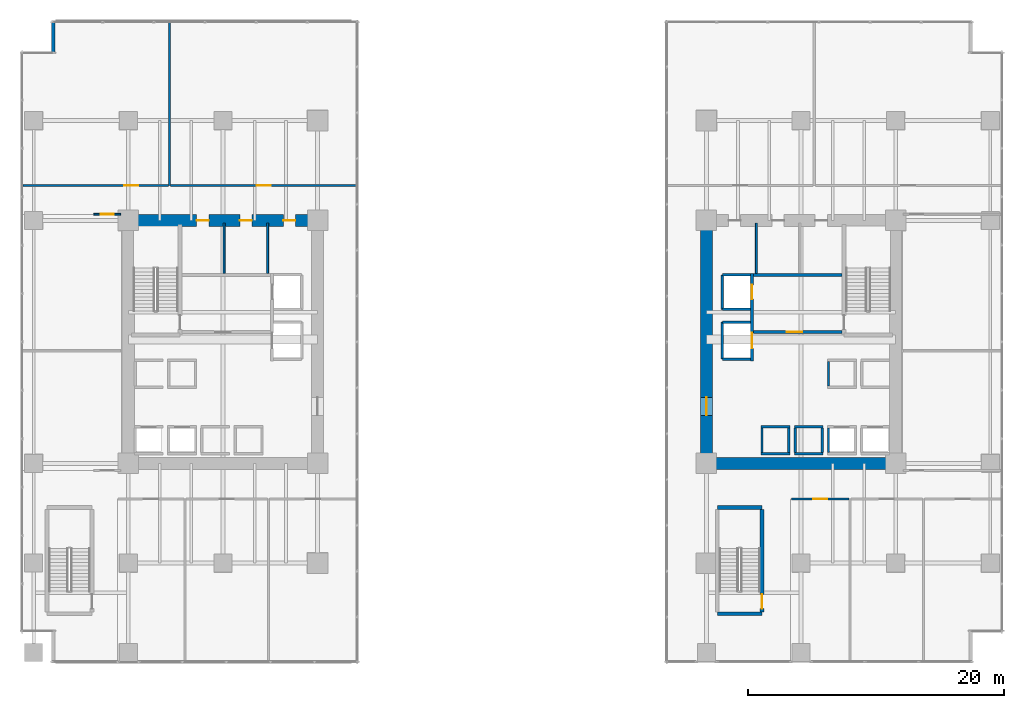
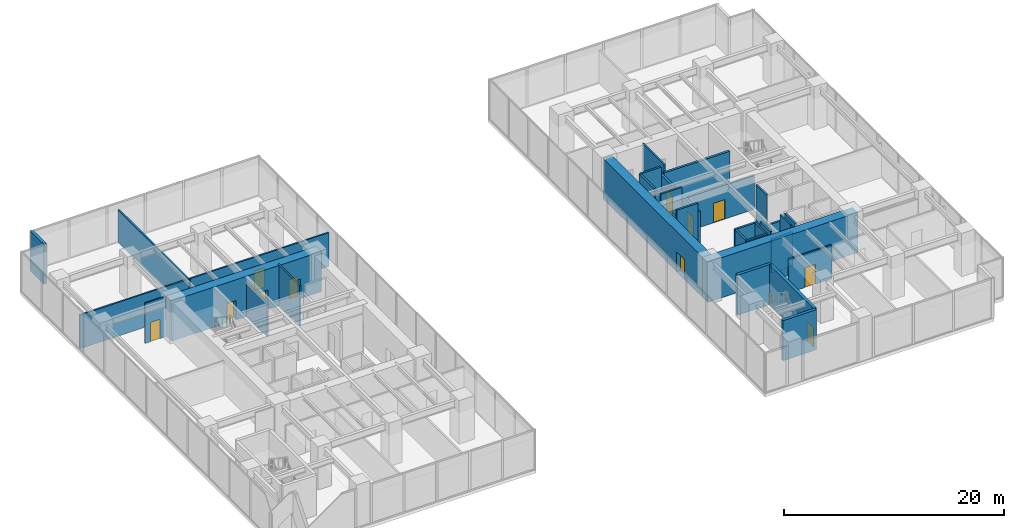
# One storey, part 26 of 33: 34 walls, 12 doors, 12 openings.
"""IFC4 building model written with IfcOpenShell, lengths in metres."""

import ifcopenshell
import ifcopenshell.guid

model = None  # the IFC model being written
_history = None  # IfcOwnerHistory: only IFC2X3 demands one
_inside = {}  # id of a spatial element -> (the spatial element, [elements in it])
_under = {}  # id of a project, library or spatial element -> (it, [spatial elements below it])
_declared = {}  # id of a project -> (the project, [libraries it declares])
_typed = {}  # id of a type object -> (the type object, [elements of that type])
_made_of = {}  # id of a material, layer set ... -> (it, [elements and type objects made of it])


def new_model(schema):
    """Start an empty IFC model of exactly this schema.

    Asked for "IFC4X3", IfcOpenShell would pick the latest addendum, in which some entities
    have other attributes; the version numbers below select the first issue.
    IFC2X3 requires an IfcOwnerHistory on every rooted entity: one is made here for all.
    """
    global model, _history
    if schema == "IFC4X3":
        model = ifcopenshell.file(schema_version=(4, 3, 0, 0))
    else:
        model = ifcopenshell.file(schema=schema)
    _inside.clear()
    _under.clear()
    _declared.clear()
    _typed.clear()
    _made_of.clear()
    _history = None
    if model.schema == "IFC2X3":
        org = make("IfcOrganization", Name="unknown")
        user = make(
            "IfcPersonAndOrganization",
            ThePerson=make("IfcPerson", FamilyName="unknown"),
            TheOrganization=org,
        )
        app = make(
            "IfcApplication",
            ApplicationDeveloper=org,
            Version="unknown",
            ApplicationFullName="unknown",
            ApplicationIdentifier="unknown",
        )
        _history = make(
            "IfcOwnerHistory",
            OwningUser=user,
            OwningApplication=app,
            ChangeAction="ADDED",
            CreationDate=0,
        )
    return model


def make(cls, **values):
    """One entity of the class cls with the attributes given. An attribute that is None is left unset."""
    return model.create_entity(
        cls, **{name: value for name, value in values.items() if value is not None}
    )


def rooted(cls, **values):
    """An entity with a GlobalId (a new one), such as an element, a storey or a relation."""
    return make(cls, GlobalId=ifcopenshell.guid.new(), OwnerHistory=_history, **values)


def si_unit(unit_type, name, prefix=None):
    """IfcSIUnit, for example si_unit("LENGTHUNIT", "METRE", prefix="MILLI")."""
    return make("IfcSIUnit", UnitType=unit_type, Prefix=prefix, Name=name)


def assignment(units):
    """IfcUnitAssignment: the units of a project."""
    return None if units is None else make("IfcUnitAssignment", Units=units)


def point(xyz):
    """IfcCartesianPoint."""
    return None if xyz is None else make("IfcCartesianPoint", Coordinates=xyz)


def direction(xyz):
    """IfcDirection."""
    return None if xyz is None else make("IfcDirection", DirectionRatios=xyz)


def frame(location, z_axis=None, x_axis=None):
    """IfcAxis2Placement3D, a coordinate frame: its origin and axes. An axis left out is left unset."""
    return make(
        "IfcAxis2Placement3D",
        Location=point(location),
        Axis=direction(z_axis),
        RefDirection=direction(x_axis),
    )


def frame_2d(location, x_axis=None):
    """IfcAxis2Placement2D, a coordinate frame in the plane: its origin and x axis."""
    return make(
        "IfcAxis2Placement2D", Location=point(location), RefDirection=direction(x_axis)
    )


def origin():
    """The frame at (0, 0, 0) with its axes left unset."""
    return frame((0.0, 0.0, 0.0))


def place(relative_to, where):
    """IfcLocalPlacement: puts the frame where relative to a parent placement (None: the world)."""
    return make(
        "IfcLocalPlacement", PlacementRelTo=relative_to, RelativePlacement=where
    )


def context(
    kind, dimensions, precision=None, world=None, true_north=None, identifier=None
):
    """IfcGeometricRepresentationContext, for example the 3D "Model" context."""
    return make(
        "IfcGeometricRepresentationContext",
        ContextIdentifier=identifier,
        ContextType=kind,
        CoordinateSpaceDimension=dimensions,
        Precision=precision,
        WorldCoordinateSystem=world,
        TrueNorth=true_north,
    )


def subcontext(parent, identifier, kind, view, scale=None):
    """IfcGeometricRepresentationSubContext, for example "Body" below "Model"."""
    return make(
        "IfcGeometricRepresentationSubContext",
        ContextIdentifier=identifier,
        ContextType=kind,
        ParentContext=parent,
        TargetScale=scale,
        TargetView=view,
    )


def project(units=None, contexts=None):
    """IfcProject with its units and contexts."""
    return rooted(
        "IfcProject",
        Name="project",
        RepresentationContexts=contexts,
        UnitsInContext=assignment(units),
    )


def spatial(cls, under=None, at=None, **own):
    """A site, building, storey or space (cls), placed at a placement, below another one or the project."""
    s = rooted(cls, ObjectPlacement=at, **own)
    if under is not None:
        _under.setdefault(under.id(), (under, []))[1].append(s)
    return s


def profile(cls, at=None, kind="AREA", **sizes):
    """A parametric profile (cls). Its sizes go by their IFC names, for example OverallWidth=200.0."""
    return make(cls, ProfileType=kind, Position=at, **sizes)


def rectangle(**sizes):
    """IfcRectangleProfileDef."""
    return profile("IfcRectangleProfileDef", **sizes)


def extrude(swept, where, along, depth):
    """IfcExtrudedAreaSolid: the profile swept, set in the frame where, extruded along a direction by depth."""
    return make(
        "IfcExtrudedAreaSolid",
        SweptArea=swept,
        Position=where,
        ExtrudedDirection=direction(along),
        Depth=depth,
    )


def shape(context_of_items, identifier, shape_type, items):
    """IfcShapeRepresentation: the items that make up one representation, for example the "Body"."""
    return make(
        "IfcShapeRepresentation",
        ContextOfItems=context_of_items,
        RepresentationIdentifier=identifier,
        RepresentationType=shape_type,
        Items=items,
    )


def source(mapping_origin, context_of_items, identifier, shape_type, items):
    """IfcRepresentationMap: a shape defined once, which mapped items show again and again."""
    return make(
        "IfcRepresentationMap",
        MappingOrigin=mapping_origin,
        MappedRepresentation=shape(context_of_items, identifier, shape_type, items),
    )


def transform(
    local_origin,
    x_axis=None,
    y_axis=None,
    z_axis=None,
    scale=None,
    scale2=None,
    scale3=None,
    uniform=True,
):
    """IfcCartesianTransformationOperator3D, or its non-uniform kind. x_axis, y_axis, z_axis: its Axis1, 2, 3."""
    if uniform:
        return make(
            "IfcCartesianTransformationOperator3D",
            Axis1=direction(x_axis),
            Axis2=direction(y_axis),
            LocalOrigin=point(local_origin),
            Scale=scale,
            Axis3=direction(z_axis),
        )
    return make(
        "IfcCartesianTransformationOperator3DnonUniform",
        Axis1=direction(x_axis),
        Axis2=direction(y_axis),
        LocalOrigin=point(local_origin),
        Scale=scale,
        Axis3=direction(z_axis),
        Scale2=scale2,
        Scale3=scale3,
    )


def mapped(mapping_source, mapping_target):
    """IfcMappedItem: shows the shape of a source again, moved by a transform."""
    return make(
        "IfcMappedItem", MappingSource=mapping_source, MappingTarget=mapping_target
    )


def material(Name=None, Category=None):
    """IfcMaterial."""
    return make("IfcMaterial", Name=Name, Category=Category)


def layer(
    of_material, thickness, ventilated=None, Name=None, Category=None, Priority=None
):
    """IfcMaterialLayer: one layer of a wall or slab, of a material (None: an air gap)."""
    return make(
        "IfcMaterialLayer",
        Material=of_material,
        LayerThickness=thickness,
        IsVentilated=ventilated,
        Name=Name,
        Category=Category,
        Priority=Priority,
    )


def layer_set(layers, Name=None):
    """IfcMaterialLayerSet."""
    return make("IfcMaterialLayerSet", MaterialLayers=layers, LayerSetName=Name)


def made_of(thing, what):
    """Note that an element or type object is made of a material, layer set ...; save() writes the relation."""
    if what is not None:
        _made_of.setdefault(what.id(), (what, []))[1].append(thing)
    return thing


def type_object(cls, material=None, **own):
    """A type object (cls), such as IfcWallType, which elements share."""
    return made_of(rooted(cls, **own), material)


def type_shapes(of_type, sources):
    """Give a type object the sources (RepresentationMaps) that its elements show as mapped items."""
    of_type.RepresentationMaps = sources


def element(
    cls,
    number,
    at=None,
    inside=None,
    cuts=None,
    type_object=None,
    material=None,
    context=None,
    identifier="Body",
    shape_type=None,
    held_by="IfcProductDefinitionShape",
    body=None,
    shapes=None,
    **own,
):
    """One element of the class cls, such as IfcWall. Its Tag is "e" and its number.

    at: its placement. inside: the storey or other place that contains it. cuts: it is an
    opening in that element (IfcRelVoidsElement). A single representation is given by context,
    identifier, shape_type and body (its items); several are given by shapes. held_by: the class
    of the entity that holds the representations. save() writes the other relations.
    """
    e = rooted(cls, Tag="e%d" % number, ObjectPlacement=at, **own)
    if body is not None:
        shapes = [shape(context, identifier, shape_type, body)]
    if shapes is not None:
        e.Representation = make(held_by, Representations=shapes)
    if inside is not None:
        _inside.setdefault(inside.id(), (inside, []))[1].append(e)
    if cuts is not None:
        rooted(
            "IfcRelVoidsElement", RelatingBuildingElement=cuts, RelatedOpeningElement=e
        )
    if type_object is not None:
        _typed.setdefault(type_object.id(), (type_object, []))[1].append(e)
    return made_of(e, material)


def fill(opening, filler):
    """IfcRelFillsElement: the door or window that sits in an opening."""
    return rooted(
        "IfcRelFillsElement",
        RelatingOpeningElement=opening,
        RelatedBuildingElement=filler,
    )


def aggregate(whole, parts):
    """IfcRelAggregates: a whole, such as a stair, and the parts it consists of."""
    return rooted("IfcRelAggregates", RelatingObject=whole, RelatedObjects=parts)


def save(model, path):
    """Write the relations noted so far, then the file.

    IfcRelAggregates (storeys below a building ...), IfcRelContainedInSpatialStructure (elements
    in a storey), IfcRelDefinesByType, IfcRelAssociatesMaterial and IfcRelDeclares: one each for
    every whole, place, type object, material and project.
    """
    for whole, parts in _under.values():
        aggregate(whole, parts)
    for where, things in _inside.values():
        rooted(
            "IfcRelContainedInSpatialStructure",
            RelatedElements=things,
            RelatingStructure=where,
        )
    for kind, things in _typed.values():
        rooted("IfcRelDefinesByType", RelatedObjects=things, RelatingType=kind)
    for what, things in _made_of.values():
        rooted("IfcRelAssociatesMaterial", RelatedObjects=things, RelatingMaterial=what)
    for by, libraries in _declared.values():
        rooted("IfcRelDeclares", RelatingContext=by, RelatedDefinitions=libraries)
    model.write(path)


model = new_model("IFC4")

# Units and contexts
model_context = context("Model", 3, precision=1e-05, world=origin(), true_north=direction((0.0, 1.0)))
body_context = subcontext(model_context, "Body", "Model", "MODEL_VIEW")
ifc_project = project(units=[si_unit("LENGTHUNIT", "METRE"), si_unit("AREAUNIT", "SQUARE_METRE"), si_unit("VOLUMEUNIT", "CUBIC_METRE"), si_unit("PLANEANGLEUNIT", "RADIAN"), si_unit("MASSUNIT", "GRAM", prefix="KILO")], contexts=[model_context])

# Site, building, storey
site_placement = place(None, origin())
site = spatial("IfcSite", under=ifc_project, at=site_placement, CompositionType="ELEMENT")
building_placement = place(site_placement, origin())
building = spatial("IfcBuilding", under=site, at=building_placement, Name="Haelvirn Gate Laboratories", CompositionType="ELEMENT")
storey_placement = place(building_placement, frame((0.0, 0.0, 10.199951171875)))
storey = spatial("IfcBuildingStorey", under=building, at=storey_placement, Name="L03", CompositionType="ELEMENT", Elevation=10.199951171875)

# Wall
ifc_material_1 = material(Name="Thermally-broken bronze aluminium rainscreen & mineral wool", Category="aluminium")
ifc_layer_1 = layer(ifc_material_1, 0.280029296875, Name="EW-TERR-280")
ifc_layer_set_1 = layer_set([ifc_layer_1], Name="Thermally-broken bronze aluminium rainscreen & mineral wool")
wall_type_1 = type_object("IfcWallType", Name="EW-TERR-280", PredefinedType="STANDARD", material=ifc_layer_set_1)
wall_1_placement = place(storey_placement, frame((1.5400390625, 49.39990234375, 0.0), z_axis=(0.0, 0.0, 1.0), x_axis=(0.0, -1.0, 0.0)))
element("IfcWall", 1, at=wall_1_placement, inside=storey, type_object=wall_type_1, Name="L03 Atrium Recess Bronze Return Wall 03", PredefinedType="STANDARD", context=body_context, shape_type="SweptSolid", body=[
    extrude(rectangle(XDim=2.48779296875, YDim=0.280029296875, at=frame_2d((1.243896484375, 0.0))), origin(), (0.0, 0.0, 1.0), 4.449951171875),
])

# Wall, opening, door
ifc_material_2 = material(Name="Acoustic mineral-wool gypsum board partition", Category="gypsum")
ifc_layer_2 = layer(ifc_material_2, 0.139892578125, Name="IW-PART-140")
ifc_layer_set_2 = layer_set([ifc_layer_2], Name="Acoustic mineral-wool gypsum board partition")
wall_type_2 = type_object("IfcWallType", Name="IW-PART-140", PredefinedType="PARTITIONING", material=ifc_layer_set_2)
wall_2_placement = place(storey_placement, frame((4.699951171875, 34.280029296875, 0.0), z_axis=(0.0, 0.0, 1.0), x_axis=(1.0, 0.0, 0.0)))
wall_2 = element("IfcWall", 2, at=wall_2_placement, inside=storey, type_object=wall_type_2, Name="L03 Interior Wall IW-L03-PODOUTW-W-N", PredefinedType="PARTITIONING", context=body_context, shape_type="SweptSolid", body=[
    extrude(rectangle(XDim=2.10009765625, YDim=0.139892578125, at=frame_2d((1.050048828125, 0.0))), origin(), (0.0, 0.0, 1.0), 4.449951171875),
])
opening_1_placement = place(wall_2_placement, frame((0.550048828125, 0.0, 0.0)))
opening_1 = element("IfcOpeningElement", 3, at=opening_1_placement, cuts=wall_2, Name="Opening D2", PredefinedType="OPENING", context=body_context, shape_type="SweptSolid", body=[
    extrude(rectangle(XDim=1.0, YDim=2.14990234375, at=frame_2d((0.5, 1.074951171875))), frame((0.0, 0.080078125, 0.0), z_axis=(0.0, -1.0, 0.0), x_axis=(1.0, 0.0, 0.0)), (0.0, 0.0, 1.0), 0.159912109375),
])
ifc_material_3 = material(Name="Acoustic solid-core timber suite door", Category="wood")
door_type_1 = type_object("IfcDoorType", Name="DR-INT-1000", OperationType="NOTDEFINED", PredefinedType="DOOR", material=ifc_material_3)
shared_shape_1 = source(origin(), body_context, "Body", "SweptSolid", [
    extrude(rectangle(XDim=1.0, YDim=2.14990234375, at=frame_2d((0.5, 1.074951171875))), frame((0.0, 0.02490234375, 0.0), z_axis=(0.0, -1.0, 0.0), x_axis=(1.0, 0.0, 0.0)), (0.0, 0.0, 1.0), 0.050048828125),
])
type_shapes(door_type_1, [shared_shape_1])
door_1_placement = place(opening_1_placement, origin())
door_1 = element("IfcDoor", 4, at=door_1_placement, inside=storey, type_object=door_type_1, Name="L03 Analytical Instrument Suite Outer Wing Door", OperationType="SINGLE_SWING_RIGHT", OverallHeight=2.14990234375, OverallWidth=1.0, PredefinedType="DOOR", context=body_context, shape_type="MappedRepresentation", body=[
    mapped(shared_shape_1, transform((0.0, 0.0, 0.0), scale=1.0)),
])
fill(opening_1, door_1)

ifc_material_4 = material(Name="Moisture-resistant gypsum laboratory partition", Category="gypsum")
ifc_layer_3 = layer(ifc_material_4, 0.1650390625, Name="IW-PART-160")
ifc_layer_set_3 = layer_set([ifc_layer_3], Name="Moisture-resistant gypsum laboratory partition")
wall_type_3 = type_object("IfcWallType", Name="IW-PART-160", PredefinedType="PARTITIONING", material=ifc_layer_set_3)
wall_3_placement = place(storey_placement, frame((-0.85009765625, 36.52001953125, 0.0), z_axis=(0.0, 0.0, 1.0), x_axis=(1.0, 0.0, 0.0)))
wall_3 = element("IfcWall", 5, at=wall_3_placement, inside=storey, type_object=wall_type_3, Name="L03 Interior Wall IW-L03-PODN-W-1", PredefinedType="PARTITIONING", context=body_context, shape_type="SweptSolid", body=[
    extrude(rectangle(XDim=11.404052734375, YDim=0.1650390625, at=frame_2d((5.7021484375, 0.0))), origin(), (0.0, 0.0, 1.0), 3.735107421875),
])
opening_2_placement = place(wall_3_placement, frame((7.927001953125, 0.0, 0.0)))
opening_2 = element("IfcOpeningElement", 6, at=opening_2_placement, cuts=wall_3, Name="Opening D1", PredefinedType="OPENING", context=body_context, shape_type="SweptSolid", body=[
    extrude(rectangle(XDim=1.10009765625, YDim=2.179931640625, at=frame_2d((0.550048828125, 1.08984375))), frame((0.0, 0.092529296875, 0.0), z_axis=(0.0, -1.0, 0.0), x_axis=(1.0, 0.0, 0.0)), (0.0, 0.0, 1.0), 0.18505859375),
])
ifc_material_5 = material(Name="Vision-panel acoustic solid-core timber lab door", Category="wood")
door_type_2 = type_object("IfcDoorType", Name="DR-LAB-1100", OperationType="NOTDEFINED", PredefinedType="DOOR", material=ifc_material_5)
shared_shape_2 = source(origin(), body_context, "Body", "SweptSolid", [
    extrude(rectangle(XDim=1.10009765625, YDim=2.179931640625, at=frame_2d((0.550048828125, 1.08984375))), frame((0.0, 0.02490234375, 0.0), z_axis=(0.0, -1.0, 0.0), x_axis=(1.0, 0.0, 0.0)), (0.0, 0.0, 1.0), 0.050048828125),
])
type_shapes(door_type_2, [shared_shape_2])
door_2_placement = place(opening_2_placement, origin())
door_2 = element("IfcDoor", 7, at=door_2_placement, inside=storey, type_object=door_type_2, Name="L03 Bioprocess Foundry Laboratory North Door", OperationType="SINGLE_SWING_RIGHT", OverallHeight=2.179931640625, OverallWidth=1.10009765625, PredefinedType="DOOR", context=body_context, shape_type="MappedRepresentation", body=[
    mapped(shared_shape_2, transform((0.0, 0.0, 0.0), scale=1.0)),
])
fill(opening_2, door_2)

# Wall
wall_4_placement = place(storey_placement, frame((10.634033203125, 36.52001953125, 0.0), z_axis=(0.0, 0.0, 1.0), x_axis=(0.0, 1.0, 0.0)))
element("IfcWall", 8, at=wall_4_placement, inside=storey, type_object=wall_type_3, Name="L03 Interior Wall IW-L03-PODNDIV-W-1", PredefinedType="PARTITIONING", context=body_context, shape_type="SweptSolid", body=[
    extrude(rectangle(XDim=12.77001953125, YDim=0.1650390625, at=frame_2d((6.385009765625, 0.0))), origin(), (0.0, 0.0, 1.0), 3.635009765625),
])

# Wall, opening, door
wall_5_placement = place(storey_placement, frame((10.714111328125, 36.52001953125, 0.0), z_axis=(0.0, 0.0, 1.0), x_axis=(1.0, 0.0, 0.0)))
wall_5 = element("IfcWall", 9, at=wall_5_placement, inside=storey, type_object=wall_type_3, Name="L03 Interior Wall IW-L03-PODN-W-2", PredefinedType="PARTITIONING", context=body_context, shape_type="SweptSolid", body=[
    extrude(rectangle(XDim=14.535888671875, YDim=0.1650390625, at=frame_2d((7.26806640625, 0.0))), origin(), (0.0, 0.0, 1.0), 3.735107421875),
])
opening_3_placement = place(wall_5_placement, frame((6.718017578125, 0.0, 0.0)))
opening_3 = element("IfcOpeningElement", 10, at=opening_3_placement, cuts=wall_5, Name="Opening D1", PredefinedType="OPENING", context=body_context, shape_type="SweptSolid", body=[
    extrude(rectangle(XDim=1.10009765625, YDim=2.179931640625, at=frame_2d((0.550048828125, 1.08984375))), frame((0.0, 0.092529296875, 0.0), z_axis=(0.0, -1.0, 0.0), x_axis=(1.0, 0.0, 0.0)), (0.0, 0.0, 1.0), 0.18505859375),
])
door_3_placement = place(opening_3_placement, origin())
door_3 = element("IfcDoor", 11, at=door_3_placement, inside=storey, type_object=door_type_2, Name="L03 Genomics Assay Laboratory North Door", OperationType="SINGLE_SWING_LEFT", OverallHeight=2.179931640625, OverallWidth=1.10009765625, PredefinedType="DOOR", context=body_context, shape_type="MappedRepresentation", body=[
    mapped(shared_shape_2, transform((0.0, 0.0, 0.0), scale=1.0)),
])
fill(opening_3, door_3)

wall_6_placement = place(storey_placement, frame((59.25, 12.02001953125, 0.0), z_axis=(0.0, 0.0, 1.0), x_axis=(1.0, 0.0, 0.0)))
wall_6 = element("IfcWall", 12, at=wall_6_placement, inside=storey, type_object=wall_type_3, Name="L03 Interior Wall IW-L03-PODS-E-1", PredefinedType="PARTITIONING", context=body_context, shape_type="SweptSolid", body=[
    extrude(rectangle(XDim=4.511962890625, YDim=0.1650390625, at=frame_2d((2.255859375, 0.0))), origin(), (0.0, 0.0, 1.0), 3.735107421875),
])
opening_4_placement = place(wall_6_placement, frame((1.7060546875, 0.0, 0.0)))
opening_4 = element("IfcOpeningElement", 13, at=opening_4_placement, cuts=wall_6, Name="Opening D1", PredefinedType="OPENING", context=body_context, shape_type="SweptSolid", body=[
    extrude(rectangle(XDim=1.10009765625, YDim=2.179931640625, at=frame_2d((0.550048828125, 1.08984375))), frame((0.0, 0.092529296875, 0.0), z_axis=(0.0, -1.0, 0.0), x_axis=(1.0, 0.0, 0.0)), (0.0, 0.0, 1.0), 0.18505859375),
])
door_4_placement = place(opening_4_placement, origin())
door_4 = element("IfcDoor", 14, at=door_4_placement, inside=storey, type_object=door_type_2, Name="L03 Research Seminar & Review Room Door", OperationType="SINGLE_SWING_LEFT", OverallHeight=2.179931640625, OverallWidth=1.10009765625, PredefinedType="DOOR", context=body_context, shape_type="MappedRepresentation", body=[
    mapped(shared_shape_2, transform((0.0, 0.0, 0.0), scale=1.0)),
])
fill(opening_4, door_4)

# Walls
ifc_material_6 = material(Name="Cement-board restroom plumbing chase wall", Category="gypsum")
ifc_layer_4 = layer(ifc_material_6, 0.155029296875, Name="IW-PLUMB-160")
ifc_layer_set_4 = layer_set([ifc_layer_4], Name="Cement-board restroom plumbing chase wall")
wall_type_4 = type_object("IfcWallType", Name="IW-PLUMB-160", PredefinedType="PLUMBINGWALL", material=ifc_layer_set_4)
wall_7_placement = place(storey_placement, frame((14.889892578125, 29.64990234375, 0.0), z_axis=(0.0, 0.0, 1.0), x_axis=(0.0, 1.0, 0.0)))
element("IfcWall", 15, at=wall_7_placement, inside=storey, type_object=wall_type_4, Name="L03 Interior Wall IW-L03-W-CDIV-1", PredefinedType="PLUMBINGWALL", context=body_context, shape_type="SweptSolid", body=[
    extrude(rectangle(XDim=3.93017578125, YDim=0.155029296875, at=frame_2d((1.965087890625, 0.0))), origin(), (0.0, 0.0, 1.0), 3.735107421875),
])
for number, where, z_axis, x_axis, name in (
    (16, (18.2900390625, 29.64990234375, 0.0), (0.0, 0.0, 1.0), (0.0, 1.0, 0.0), "L03 Interior Wall IW-L03-W-CDIV-2"),
    (17, (56.510009765625, 29.64990234375, 0.0), (0.0, 0.0, 1.0), (0.0, 1.0, 0.0), "L03 Interior Wall IW-L03-E-CDIV-2"),
):
    element("IfcWall", number, at=place(storey_placement, frame(where, z_axis=z_axis, x_axis=x_axis)), inside=storey, type_object=wall_type_4, Name=name, PredefinedType="PLUMBINGWALL", context=body_context, shape_type="SweptSolid", body=[
        extrude(rectangle(XDim=3.93017578125, YDim=0.155029296875, at=frame_2d((1.965087890625, 0.0))), origin(), (0.0, 0.0, 1.0), 4.449951171875),
    ])
ifc_material_7 = material(Name="Concrete C40/50", Category="concrete")
ifc_layer_5 = layer(ifc_material_7, 0.179931640625, Name="IW-SHAFT-180")
ifc_layer_set_5 = layer_set([ifc_layer_5], Name="Concrete C40/50")
wall_type_5 = type_object("IfcWallType", Name="IW-SHAFT-180", PredefinedType="SOLIDWALL", material=ifc_layer_set_5)
for number, where, z_axis, x_axis, name in (
    (18, (62.14990234375, 15.64990234375, 0.0), (0.0, 0.0, 1.0), (0.0, 1.0, 0.0), "L03 Interior Wall IW-L03-PL4-SD"),
    (19, (59.550048828125, 15.64990234375, 0.0), (0.0, 0.0, 1.0), (0.0, 1.0, 0.0), "L03 Interior Wall IW-L03-PL7-SD"),
    (20, (61.64990234375, 15.64990234375, 0.0), (0.0, 0.0, 1.0), (0.0, 1.0, 0.0), "L03 Interior Wall IW-L03-PL7-SDE"),
    (21, (56.949951171875, 15.64990234375, 0.0), (0.0, 0.0, 1.0), (0.0, 1.0, 0.0), "L03 Interior Wall IW-L03-PL8-SD"),
    (22, (59.050048828125, 15.64990234375, 0.0), (0.0, 0.0, 1.0), (0.0, 1.0, 0.0), "L03 Interior Wall IW-L03-PL8-SDE"),
):
    element("IfcWall", number, at=place(storey_placement, frame(where, z_axis=z_axis, x_axis=x_axis)), inside=storey, type_object=wall_type_5, Name=name, PredefinedType="SOLIDWALL", context=body_context, shape_type="SweptSolid", body=[
        extrude(rectangle(XDim=1.900146484375, YDim=0.179931640625, at=frame_2d((0.9501953125, 0.0))), origin(), (0.0, 0.0, 1.0), 4.449951171875),
    ])
wall_8_placement = place(storey_placement, frame((62.14990234375, 20.85009765625, 0.0), z_axis=(0.0, 0.0, 1.0), x_axis=(0.0, 1.0, 0.0)))
element("IfcWall", 23, at=wall_8_placement, inside=storey, type_object=wall_type_5, Name="L03 Interior Wall IW-L03-PL12-SD", PredefinedType="SOLIDWALL", context=body_context, shape_type="SweptSolid", body=[
    extrude(rectangle(XDim=1.89990234375, YDim=0.179931640625, at=frame_2d((0.949951171875, 0.0))), origin(), (0.0, 0.0, 1.0), 4.449951171875),
])
ifc_layer_6 = layer(ifc_material_7, 0.199951171875, Name="IW-SHAFT-200")
ifc_layer_set_6 = layer_set([ifc_layer_6], Name="Concrete C40/50")
wall_type_6 = type_object("IfcWallType", Name="IW-SHAFT-200", PredefinedType="SOLIDWALL", material=ifc_layer_set_6)
for number, where, z_axis, x_axis, name in (
    (24, (59.469970703125, 17.64990234375, 0.0), (0.0, 0.0, 1.0), (1.0, 0.0, 0.0), "L03 Interior Wall IW-L03-PL7-FR"),
    (25, (59.469970703125, 15.550048828125, 0.0), (0.0, 0.0, 1.0), (1.0, 0.0, 0.0), "L03 Interior Wall IW-L03-PL7-BK"),
):
    element("IfcWall", number, at=place(storey_placement, frame(where, z_axis=z_axis, x_axis=x_axis)), inside=storey, type_object=wall_type_6, Name=name, PredefinedType="SOLIDWALL", context=body_context, shape_type="SweptSolid", body=[
        extrude(rectangle(XDim=2.260009765625, YDim=0.199951171875, at=frame_2d((1.1298828125, 0.0))), origin(), (0.0, 0.0, 1.0), 3.735107421875),
    ])
for number, where, z_axis, x_axis, name in (
    (26, (56.8701171875, 17.64990234375, 0.0), (0.0, 0.0, 1.0), (1.0, 0.0, 0.0), "L03 Interior Wall IW-L03-PL8-FR"),
    (27, (56.8701171875, 15.550048828125, 0.0), (0.0, 0.0, 1.0), (1.0, 0.0, 0.0), "L03 Interior Wall IW-L03-PL8-BK"),
):
    element("IfcWall", number, at=place(storey_placement, frame(where, z_axis=z_axis, x_axis=x_axis)), inside=storey, type_object=wall_type_6, Name=name, PredefinedType="SOLIDWALL", context=body_context, shape_type="SweptSolid", body=[
        extrude(rectangle(XDim=2.259765625, YDim=0.199951171875, at=frame_2d((1.1298828125, 0.0))), origin(), (0.0, 0.0, 1.0), 4.449951171875),
    ])
wall_9_placement = place(storey_placement, frame((53.85009765625, 26.85009765625, 0.0), z_axis=(0.0, 0.0, 1.0), x_axis=(0.0, 1.0, 0.0)))
element("IfcWall", 28, at=wall_9_placement, inside=storey, type_object=wall_type_6, Name="L03 Interior Wall IW-L03-FL2-BK", PredefinedType="SOLIDWALL", context=body_context, shape_type="SweptSolid", body=[
    extrude(rectangle(XDim=2.699951171875, YDim=0.199951171875, at=frame_2d((1.35009765625, 0.0))), origin(), (0.0, 0.0, 1.0), 4.449951171875),
])
wall_10_placement = place(storey_placement, frame((53.85009765625, 29.550048828125, 0.0), z_axis=(0.0, 0.0, 1.0), x_axis=(1.0, 0.0, 0.0)))
element("IfcWall", 29, at=wall_10_placement, inside=storey, type_object=wall_type_6, Name="L03 Interior Wall IW-L03-FL2-N", PredefinedType="SOLIDWALL", context=body_context, shape_type="SweptSolid", body=[
    extrude(rectangle(XDim=2.18994140625, YDim=0.199951171875, at=frame_2d((1.094970703125, 0.0))), origin(), (0.0, 0.0, 1.0), 4.449951171875),
])
wall_11_placement = place(storey_placement, frame((53.85009765625, 26.85009765625, 0.0), z_axis=(0.0, 0.0, 1.0), x_axis=(1.0, 0.0, 0.0)))
element("IfcWall", 30, at=wall_11_placement, inside=storey, type_object=wall_type_6, Name="L03 Interior Wall IW-L03-FL2-S", PredefinedType="SOLIDWALL", context=body_context, shape_type="SweptSolid", body=[
    extrude(rectangle(XDim=2.18994140625, YDim=0.199951171875, at=frame_2d((1.094970703125, 0.0))), origin(), (0.0, 0.0, 1.0), 3.84716796875),
])
wall_12_placement = place(storey_placement, frame((53.85009765625, 22.949951171875, 0.0), z_axis=(0.0, 0.0, 1.0), x_axis=(0.0, 1.0, 0.0)))
element("IfcWall", 31, at=wall_12_placement, inside=storey, type_object=wall_type_6, Name="L03 Interior Wall IW-L03-SL2-BK", PredefinedType="SOLIDWALL", context=body_context, shape_type="SweptSolid", body=[
    extrude(rectangle(XDim=2.900146484375, YDim=0.199951171875, at=frame_2d((1.4501953125, 0.0))), origin(), (0.0, 0.0, 1.0), 3.53515625),
])
for number, where, z_axis, x_axis, name in (
    (32, (53.85009765625, 25.85009765625, 0.0), (0.0, 0.0, 1.0), (1.0, 0.0, 0.0), "L03 Interior Wall IW-L03-SL2-N"),
    (33, (53.85009765625, 22.949951171875, 0.0), (0.0, 0.0, 1.0), (1.0, 0.0, 0.0), "L03 Interior Wall IW-L03-SL2-S"),
):
    element("IfcWall", number, at=place(storey_placement, frame(where, z_axis=z_axis, x_axis=x_axis)), inside=storey, type_object=wall_type_6, Name=name, PredefinedType="SOLIDWALL", context=body_context, shape_type="SweptSolid", body=[
        extrude(rectangle(XDim=2.18994140625, YDim=0.199951171875, at=frame_2d((1.094970703125, 0.0))), origin(), (0.0, 0.0, 1.0), 4.449951171875),
    ])

# Wall, opening, door
ifc_layer_7 = layer(ifc_material_7, 0.239990234375, Name="IW-SHAFT-240")
ifc_layer_set_7 = layer_set([ifc_layer_7], Name="Concrete C40/50")
wall_type_7 = type_object("IfcWallType", Name="IW-SHAFT-240", PredefinedType="SOLIDWALL", material=ifc_layer_set_7)
wall_13_placement = place(storey_placement, frame((56.280029296875, 25.080078125, 0.0), z_axis=(0.0, 0.0, 1.0), x_axis=(1.0, 0.0, 0.0)))
wall_13 = element("IfcWall", 34, at=wall_13_placement, inside=storey, type_object=wall_type_7, Name="L03 Interior Wall IW-L03-E-FF-S", PredefinedType="SOLIDWALL", context=body_context, shape_type="SweptSolid", body=[
    extrude(rectangle(XDim=6.919921875, YDim=0.239990234375, at=frame_2d((3.4599609375, 0.0))), origin(), (0.0, 0.0, 1.0), 3.735107421875),
])
opening_5_placement = place(wall_13_placement, frame((2.60009765625, 0.0, 0.0)))
opening_5 = element("IfcOpeningElement", 35, at=opening_5_placement, cuts=wall_13, Name="Opening FD2", PredefinedType="OPENING", context=body_context, shape_type="SweptSolid", body=[
    extrude(rectangle(XDim=1.199951171875, YDim=2.159912109375, at=frame_2d((0.60009765625, 1.080078125))), frame((0.0, 0.1298828125, 0.0), z_axis=(0.0, -1.0, 0.0), x_axis=(1.0, 0.0, 0.0)), (0.0, 0.0, 1.0), 0.260009765625),
])
ifc_material_8 = material(Name="Fire-rated steel SM355 compartment door", Category="steel")
door_type_3 = type_object("IfcDoorType", Name="DR-FD-1200", OperationType="NOTDEFINED", PredefinedType="DOOR", material=ifc_material_8)
shared_shape_3 = source(origin(), body_context, "Body", "SweptSolid", [
    extrude(rectangle(XDim=1.199951171875, YDim=2.159912109375, at=frame_2d((0.60009765625, 1.080078125))), frame((0.0, 0.02490234375, 0.0), z_axis=(0.0, -1.0, 0.0), x_axis=(1.0, 0.0, 0.0)), (0.0, 0.0, 1.0), 0.050048828125),
])
type_shapes(door_type_3, [shared_shape_3])
door_5_placement = place(opening_5_placement, origin())
door_5 = element("IfcDoor", 36, at=door_5_placement, inside=storey, type_object=door_type_3, Name="L03 East Firefighting Lobby Door", OperationType="SINGLE_SWING_LEFT", OverallHeight=2.159912109375, OverallWidth=1.199951171875, PredefinedType="DOOR", context=body_context, shape_type="MappedRepresentation", body=[
    mapped(shared_shape_3, transform((0.0, 0.0, 0.0), scale=1.0)),
])
fill(opening_5, door_5)

# Wall
wall_14_placement = place(storey_placement, frame((56.280029296875, 29.52001953125, 0.0), z_axis=(0.0, 0.0, 1.0), x_axis=(1.0, 0.0, 0.0)))
element("IfcWall", 37, at=wall_14_placement, inside=storey, type_object=wall_type_7, Name="L03 Interior Wall IW-L03-E-FF-N", PredefinedType="SOLIDWALL", context=body_context, shape_type="SweptSolid", body=[
    extrude(rectangle(XDim=6.919921875, YDim=0.239990234375, at=frame_2d((3.4599609375, 0.0))), origin(), (0.0, 0.0, 1.0), 3.735107421875),
])

# Wall, openings, doors
wall_15_placement = place(storey_placement, frame((56.159912109375, 22.800048828125, 0.0), z_axis=(0.0, 0.0, 1.0), x_axis=(0.0, 1.0, 0.0)))
wall_15 = element("IfcWall", 38, at=wall_15_placement, inside=storey, type_object=wall_type_7, Name="L03 Interior Wall IW-L03-E-FF-E", PredefinedType="SOLIDWALL", context=body_context, shape_type="SweptSolid", body=[
    extrude(rectangle(XDim=6.849853515625, YDim=0.239990234375, at=frame_2d((3.4248046875, 0.0))), origin(), (0.0, 0.0, 1.0), 3.53515625),
])
opening_6_placement = place(wall_15_placement, frame((4.85009765625, 0.0, 0.0)))
opening_6 = element("IfcOpeningElement", 39, at=opening_6_placement, cuts=wall_15, Name="Opening LD2", PredefinedType="OPENING", context=body_context, shape_type="SweptSolid", body=[
    extrude(rectangle(XDim=1.10009765625, YDim=2.219970703125, at=frame_2d((0.550048828125, 1.10986328125))), frame((0.0, 0.1298828125, 0.0), z_axis=(0.0, -1.0, 0.0), x_axis=(1.0, 0.0, 0.0)), (0.0, 0.0, 1.0), 0.260009765625),
])
opening_7_placement = place(wall_15_placement, frame((1.0, 0.0, 0.0)))
opening_7 = element("IfcOpeningElement", 40, at=opening_7_placement, cuts=wall_15, Name="Opening LD1", PredefinedType="OPENING", context=body_context, shape_type="SweptSolid", body=[
    extrude(rectangle(XDim=1.199951171875, YDim=2.219970703125, at=frame_2d((0.60009765625, 1.10986328125))), frame((0.0, 0.1298828125, 0.0), z_axis=(0.0, -1.0, 0.0), x_axis=(1.0, 0.0, 0.0)), (0.0, 0.0, 1.0), 0.260009765625),
])
ifc_material_9 = material(Name="Bronze stainless 316L sliding lift landing door")
door_type_4 = type_object("IfcDoorType", Name="DR-LD-1100", OperationType="NOTDEFINED", PredefinedType="USERDEFINED", material=ifc_material_9)
shared_shape_4 = source(origin(), body_context, "Body", "SweptSolid", [
    extrude(rectangle(XDim=1.10009765625, YDim=2.219970703125, at=frame_2d((0.550048828125, 1.10986328125))), frame((0.0, 0.02490234375, 0.0), z_axis=(0.0, -1.0, 0.0), x_axis=(1.0, 0.0, 0.0)), (0.0, 0.0, 1.0), 0.050048828125),
])
type_shapes(door_type_4, [shared_shape_4])
door_6_placement = place(opening_6_placement, origin())
door_6 = element("IfcDoor", 41, at=door_6_placement, inside=storey, type_object=door_type_4, Name="L03 Firefighting Lift FL2 Landing Door", ObjectType="LANDING_DOOR", OperationType="SLIDING_TO_RIGHT", OverallHeight=2.219970703125, OverallWidth=1.10009765625, PredefinedType="USERDEFINED", context=body_context, shape_type="MappedRepresentation", body=[
    mapped(shared_shape_4, transform((0.0, 0.0, 0.0), scale=1.0)),
])
fill(opening_6, door_6)
ifc_material_10 = material(Name="Stainless steel 316L sliding goods landing door", Category="steel")
door_type_5 = type_object("IfcDoorType", Name="DR-LD-1200", OperationType="NOTDEFINED", PredefinedType="USERDEFINED", material=ifc_material_10)
shared_shape_5 = source(origin(), body_context, "Body", "SweptSolid", [
    extrude(rectangle(XDim=1.199951171875, YDim=2.219970703125, at=frame_2d((0.60009765625, 1.10986328125))), frame((0.0, 0.02490234375, 0.0), z_axis=(0.0, -1.0, 0.0), x_axis=(1.0, 0.0, 0.0)), (0.0, 0.0, 1.0), 0.050048828125),
])
type_shapes(door_type_5, [shared_shape_5])
door_7_placement = place(opening_7_placement, origin())
door_7 = element("IfcDoor", 42, at=door_7_placement, inside=storey, type_object=door_type_5, Name="L03 Service Lift SL2 Landing Door", ObjectType="LANDING_DOOR", OperationType="SLIDING_TO_LEFT", OverallHeight=2.219970703125, OverallWidth=1.199951171875, PredefinedType="USERDEFINED", context=body_context, shape_type="MappedRepresentation", body=[
    mapped(shared_shape_5, transform((0.0, 0.0, 0.0), scale=1.0)),
])
fill(opening_7, door_7)

ifc_material_11 = material(Name="Concrete C70/85", Category="concrete")
ifc_layer_8 = layer(ifc_material_11, 0.949951171875, Name="SW-CORE-950")
ifc_layer_set_8 = layer_set([ifc_layer_8], Name="Concrete C70/85")
wall_type_8 = type_object("IfcWallType", Name="SW-CORE-950", PredefinedType="SHEAR", material=ifc_layer_set_8)
wall_16_placement = place(storey_placement, frame((6.925048828125, 33.800048828125, 0.0), z_axis=(0.0, 0.0, 1.0), x_axis=(1.0, 0.0, 0.0)))
wall_16 = element("IfcWall", 43, at=wall_16_placement, inside=storey, type_object=wall_type_8, Name="L03 W Core Shear Wall N", PredefinedType="SHEAR", context=body_context, shape_type="SweptSolid", body=[
    extrude(rectangle(XDim=15.75, YDim=0.949951171875, at=frame_2d((7.875, 0.0))), origin(), (0.0, 0.0, 1.0), 4.449951171875),
])
opening_8_placement = place(wall_16_placement, frame((5.824951171875, 0.0, 0.0)))
opening_8 = element("IfcOpeningElement", 44, at=opening_8_placement, cuts=wall_16, Name="Opening FD4", PredefinedType="OPENING", context=body_context, shape_type="SweptSolid", body=[
    extrude(rectangle(XDim=0.949951171875, YDim=2.14990234375, at=frame_2d((0.47509765625, 1.074951171875))), frame((0.0, 0.48486328125, 0.0), z_axis=(0.0, -1.0, 0.0), x_axis=(1.0, 0.0, 0.0)), (0.0, 0.0, 1.0), 0.969970703125),
])
opening_9_placement = place(wall_16_placement, frame((9.18994140625, 0.0, 0.0)))
opening_9 = element("IfcOpeningElement", 45, at=opening_9_placement, cuts=wall_16, Name="Opening FD4", PredefinedType="OPENING", context=body_context, shape_type="SweptSolid", body=[
    extrude(rectangle(XDim=0.949951171875, YDim=2.14990234375, at=frame_2d((0.47509765625, 1.074951171875))), frame((0.0, 0.48486328125, 0.0), z_axis=(0.0, -1.0, 0.0), x_axis=(1.0, 0.0, 0.0)), (0.0, 0.0, 1.0), 0.969970703125),
])
opening_10_placement = place(wall_16_placement, frame((12.590087890625, 0.0, 0.0)))
opening_10 = element("IfcOpeningElement", 46, at=opening_10_placement, cuts=wall_16, Name="Opening FD4", PredefinedType="OPENING", context=body_context, shape_type="SweptSolid", body=[
    extrude(rectangle(XDim=0.949951171875, YDim=2.14990234375, at=frame_2d((0.47509765625, 1.074951171875))), frame((0.0, 0.48486328125, 0.0), z_axis=(0.0, -1.0, 0.0), x_axis=(1.0, 0.0, 0.0)), (0.0, 0.0, 1.0), 0.969970703125),
])
ifc_material_12 = material(Name="Fire-rated steel SM355 core service door", Category="steel")
door_type_6 = type_object("IfcDoorType", Name="DR-FD-950", OperationType="NOTDEFINED", PredefinedType="DOOR", material=ifc_material_12)
shared_shape_6 = source(origin(), body_context, "Body", "SweptSolid", [
    extrude(rectangle(XDim=0.949951171875, YDim=2.14990234375, at=frame_2d((0.47509765625, 1.074951171875))), frame((0.0, 0.02490234375, 0.0), z_axis=(0.0, -1.0, 0.0), x_axis=(1.0, 0.0, 0.0)), (0.0, 0.0, 1.0), 0.050048828125),
])
type_shapes(door_type_6, [shared_shape_6])
door_8_placement = place(opening_8_placement, origin())
door_8 = element("IfcDoor", 47, at=door_8_placement, inside=storey, type_object=door_type_6, Name="L03 Male Restroom Fire Door", OperationType="SINGLE_SWING_RIGHT", OverallHeight=2.14990234375, OverallWidth=0.949951171875, PredefinedType="DOOR", context=body_context, shape_type="MappedRepresentation", body=[
    mapped(shared_shape_6, transform((0.0, 0.0, 0.0), scale=1.0)),
])
fill(opening_8, door_8)
door_9_placement = place(opening_9_placement, origin())
door_9 = element("IfcDoor", 48, at=door_9_placement, inside=storey, type_object=door_type_6, Name="L03 Female Restroom Fire Door", OperationType="SINGLE_SWING_LEFT", OverallHeight=2.14990234375, OverallWidth=0.949951171875, PredefinedType="DOOR", context=body_context, shape_type="MappedRepresentation", body=[
    mapped(shared_shape_6, transform((0.0, 0.0, 0.0), scale=1.0)),
])
fill(opening_9, door_9)
door_10_placement = place(opening_10_placement, origin())
door_10 = element("IfcDoor", 49, at=door_10_placement, inside=storey, type_object=door_type_6, Name="L03 Accessible Restroom Fire Door", OperationType="SINGLE_SWING_RIGHT", OverallHeight=2.14990234375, OverallWidth=0.949951171875, PredefinedType="DOOR", context=body_context, shape_type="MappedRepresentation", body=[
    mapped(shared_shape_6, transform((0.0, 0.0, 0.0), scale=1.0)),
])
fill(opening_10, door_10)

# Wall
wall_17_placement = place(storey_placement, frame((52.125, 14.800048828125, 0.0), z_axis=(0.0, 0.0, 1.0), x_axis=(1.0, 0.0, 0.0)))
element("IfcWall", 50, at=wall_17_placement, inside=storey, type_object=wall_type_8, Name="L03 E Core Shear Wall S", PredefinedType="SHEAR", context=body_context, shape_type="SweptSolid", body=[
    extrude(rectangle(XDim=15.75, YDim=0.949951171875, at=frame_2d((7.875, 0.0))), origin(), (0.0, 0.0, 1.0), 4.449951171875),
])

# Wall, opening, door
wall_18_placement = place(storey_placement, frame((52.60009765625, 15.27490234375, 0.0), z_axis=(0.0, 0.0, 1.0), x_axis=(0.0, 1.0, 0.0)))
wall_18 = element("IfcWall", 51, at=wall_18_placement, inside=storey, type_object=wall_type_8, Name="L03 E Core Shear Wall W", PredefinedType="SHEAR", context=body_context, shape_type="SweptSolid", body=[
    extrude(rectangle(XDim=18.050048828125, YDim=0.949951171875, at=frame_2d((9.02490234375, 0.0))), origin(), (0.0, 0.0, 1.0), 4.449951171875),
])
opening_11_placement = place(wall_18_placement, frame((3.27490234375, 0.0, 0.0)))
opening_11 = element("IfcOpeningElement", 52, at=opening_11_placement, cuts=wall_18, Name="Opening FD1", PredefinedType="OPENING", context=body_context, shape_type="SweptSolid", body=[
    extrude(rectangle(XDim=1.419921875, YDim=2.199951171875, at=frame_2d((0.7099609375, 1.10009765625))), frame((0.0, 0.48486328125, 0.0), z_axis=(0.0, -1.0, 0.0), x_axis=(1.0, 0.0, 0.0)), (0.0, 0.0, 1.0), 0.969970703125),
])
ifc_material_13 = material(Name="Fire-rated double steel SM355 lobby door", Category="steel")
door_type_7 = type_object("IfcDoorType", Name="DR-FD-1400", OperationType="NOTDEFINED", PredefinedType="DOOR", material=ifc_material_13)
shared_shape_7 = source(origin(), body_context, "Body", "SweptSolid", [
    extrude(rectangle(XDim=1.419921875, YDim=2.199951171875, at=frame_2d((0.7099609375, 1.10009765625))), frame((0.0, 0.02490234375, 0.0), z_axis=(0.0, -1.0, 0.0), x_axis=(1.0, 0.0, 0.0)), (0.0, 0.0, 1.0), 0.050048828125),
])
type_shapes(door_type_7, [shared_shape_7])
door_11_placement = place(opening_11_placement, origin())
door_11 = element("IfcDoor", 53, at=door_11_placement, inside=storey, type_object=door_type_7, Name="L03 East Core Lift Lobby Fire Door", OperationType="DOUBLE_DOOR_SINGLE_SWING", OverallHeight=2.199951171875, OverallWidth=1.419921875, PredefinedType="DOOR", context=body_context, shape_type="MappedRepresentation", body=[
    mapped(shared_shape_7, transform((0.0, 0.0, 0.0), scale=1.0)),
])
fill(opening_11, door_11)

# Walls
ifc_material_14 = material(Name="Concrete C50/60", Category="concrete")
ifc_layer_9 = layer(ifc_material_14, 0.300048828125, Name="SW-STAIR-300")
ifc_layer_set_9 = layer_set([ifc_layer_9], Name="Concrete C50/60")
wall_type_9 = type_object("IfcWallType", Name="SW-STAIR-300", PredefinedType="SHEAR", material=ifc_layer_set_9)
for number, where, z_axis, x_axis, name in (
    (54, (53.449951171875, 3.050048828125, 0.0), (0.0, 0.0, 1.0), (1.0, 0.0, 0.0), "L03 Podium Stair ST4 Structural Wall S"),
    (55, (53.449951171875, 11.35009765625, 0.0), (0.0, 0.0, 1.0), (1.0, 0.0, 0.0), "L03 Podium Stair ST4 Structural Wall N"),
):
    element("IfcWall", number, at=place(storey_placement, frame(where, z_axis=z_axis, x_axis=x_axis)), inside=storey, type_object=wall_type_9, Name=name, PredefinedType="SHEAR", context=body_context, shape_type="SweptSolid", body=[
        extrude(rectangle(XDim=3.5, YDim=0.300048828125, at=frame_2d((1.75, 0.0))), origin(), (0.0, 0.0, 1.0), 4.449951171875),
    ])

# Wall, opening, door
wall_19_placement = place(storey_placement, frame((56.949951171875, 3.199951171875, 0.0), z_axis=(0.0, 0.0, 1.0), x_axis=(0.0, 1.0, 0.0)))
wall_19 = element("IfcWall", 56, at=wall_19_placement, inside=storey, type_object=wall_type_9, Name="L03 Podium Stair ST4 Structural Wall E", PredefinedType="SHEAR", context=body_context, shape_type="SweptSolid", body=[
    extrude(rectangle(XDim=8.0, YDim=0.300048828125, at=frame_2d((4.0, 0.0))), origin(), (0.0, 0.0, 1.0), 4.449951171875),
])
opening_12_placement = place(wall_19_placement, frame((0.25, 0.0, 0.0)))
opening_12 = element("IfcOpeningElement", 57, at=opening_12_placement, cuts=wall_19, Name="Opening FD3", PredefinedType="OPENING", context=body_context, shape_type="SweptSolid", body=[
    extrude(rectangle(XDim=1.10009765625, YDim=2.14990234375, at=frame_2d((0.550048828125, 1.074951171875))), frame((0.0, 0.16015625, 0.0), z_axis=(0.0, -1.0, 0.0), x_axis=(1.0, 0.0, 0.0)), (0.0, 0.0, 1.0), 0.320068359375),
])
ifc_material_15 = material(Name="Fire-rated steel SM355 escape stair door", Category="steel")
door_type_8 = type_object("IfcDoorType", Name="DR-FD-1100", OperationType="NOTDEFINED", PredefinedType="DOOR", material=ifc_material_15)
shared_shape_8 = source(origin(), body_context, "Body", "SweptSolid", [
    extrude(rectangle(XDim=1.10009765625, YDim=2.14990234375, at=frame_2d((0.550048828125, 1.074951171875))), frame((0.0, 0.02490234375, 0.0), z_axis=(0.0, -1.0, 0.0), x_axis=(1.0, 0.0, 0.0)), (0.0, 0.0, 1.0), 0.050048828125),
])
type_shapes(door_type_8, [shared_shape_8])
door_12_placement = place(opening_12_placement, origin())
door_12 = element("IfcDoor", 58, at=door_12_placement, inside=storey, type_object=door_type_8, Name="L03 Escape Stair ST4 Fire Door", OperationType="SINGLE_SWING_RIGHT", OverallHeight=2.14990234375, OverallWidth=1.10009765625, PredefinedType="DOOR", context=body_context, shape_type="MappedRepresentation", body=[
    mapped(shared_shape_8, transform((0.0, 0.0, 0.0), scale=1.0)),
])
fill(opening_12, door_12)

save(model, "model.ifc")
